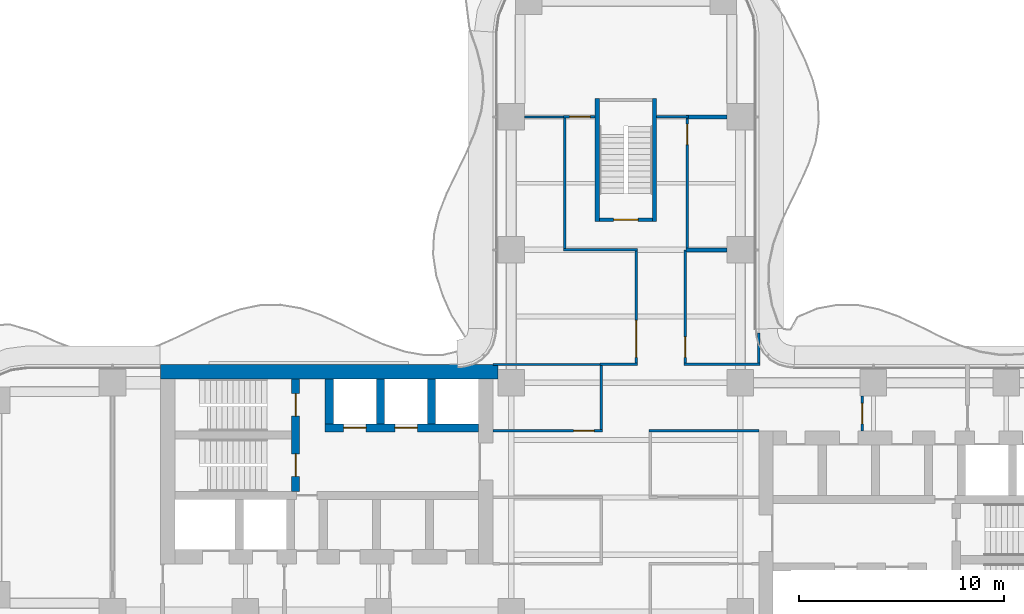
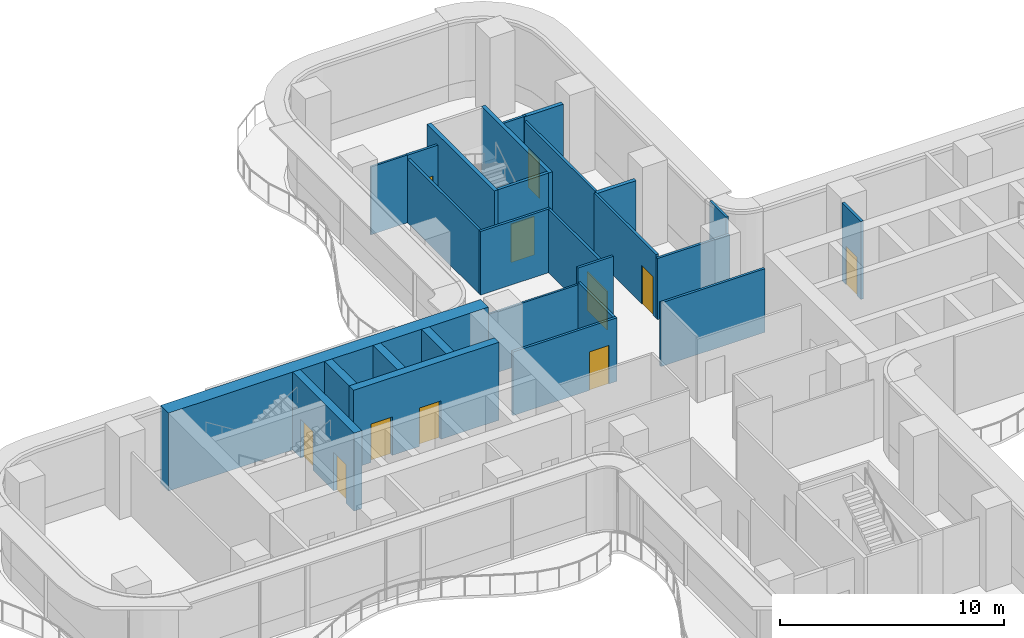
# One storey, part 18 of 21: 27 walls, 11 doors, 11 openings.
"""IFC4 building model written with IfcOpenShell, lengths in metres."""

from ifc_helpers import new_model, si_unit, direction, frame, frame_2d, origin, place, context, subcontext, project, spatial, rectangle, extrude, source, transform, mapped, material, layer, layer_set, type_object, element, fill, save


model = new_model("IFC4")

# Units and contexts
model_context = context("Model", 3, precision=1e-05, world=origin(), true_north=direction((0.0, 1.0)))
body_context = subcontext(model_context, "Body", "Model", "MODEL_VIEW")
ifc_project = project(units=[si_unit("LENGTHUNIT", "METRE"), si_unit("AREAUNIT", "SQUARE_METRE"), si_unit("VOLUMEUNIT", "CUBIC_METRE"), si_unit("PLANEANGLEUNIT", "RADIAN"), si_unit("MASSUNIT", "GRAM", prefix="KILO")], contexts=[model_context])

# Site, building, storey
site_placement = place(None, origin())
site = spatial("IfcSite", under=ifc_project, at=site_placement, CompositionType="ELEMENT")
building_placement = place(site_placement, origin())
building = spatial("IfcBuilding", under=site, at=building_placement, Name="Trellis Farm Tower", CompositionType="ELEMENT")
storey_placement = place(building_placement, frame((0.0, 0.0, 97.5)))
storey = spatial("IfcBuildingStorey", under=building, at=storey_placement, Name="L20", CompositionType="ELEMENT", Elevation=97.5)

# Walls
ifc_material_1 = material(Name="Concrete C70/85", Category="concrete")
ifc_layer_1 = layer(ifc_material_1, 0.39990234375)
ifc_layer_set_1 = layer_set([ifc_layer_1], Name="CORE INNER WALL 400 CONCRETE C70/85")
wall_type_1 = type_object("IfcWallType", Name="CORE INNER WALL 400 CONCRETE C70/85", PredefinedType="SHEAR", material=ifc_layer_set_1)
shared_shape_1 = source(origin(), body_context, "Body", "SweptSolid", [
    extrude(rectangle(XDim=2.199951171875, YDim=0.39990234375, at=frame_2d((1.10009765625, 0.0))), origin(), (0.0, 0.0, 1.0), 4.25),
])
for number, where, z_axis, x_axis, name in (
    (1, (-9.5, 5.800048828125, 0.0), (0.0, 0.0, 1.0), (0.0, -1.0, 0.0), "Core wall"),
    (2, (-12.0, 5.800048828125, 0.0), (0.0, 0.0, 1.0), (0.0, -1.0, 0.0), "Core wall"),
    (3, (-14.5, 5.800048828125, 0.0), (0.0, 0.0, 1.0), (0.0, -1.0, 0.0), "Core wall"),
):
    element("IfcWall", number, at=place(storey_placement, frame(where, z_axis=z_axis, x_axis=x_axis)), inside=storey, type_object=wall_type_1, Name=name, PredefinedType="SHEAR", context=body_context, shape_type="MappedRepresentation", body=[
        mapped(shared_shape_1, transform((0.0, 0.0, 0.0))),
    ])

# Wall, openings, doors
shared_shape_2 = source(origin(), body_context, "Body", "SweptSolid", [
    extrude(rectangle(XDim=7.5, YDim=0.39990234375, at=frame_2d((3.75, 0.0))), origin(), (0.0, 0.0, 1.0), 4.25),
])
wall_1_placement = place(storey_placement, frame((-7.199951171875, 3.39990234375, 0.0), z_axis=(0.0, 0.0, 1.0), x_axis=(-1.0, 0.0, 0.0)))
wall_1 = element("IfcWall", 4, at=wall_1_placement, inside=storey, type_object=wall_type_1, Name="Core wall", PredefinedType="SHEAR", context=body_context, shape_type="MappedRepresentation", body=[
    mapped(shared_shape_2, transform((0.0, 0.0, 0.0))),
])
shared_shape_3 = source(origin(), body_context, "Body", "SweptSolid", [
    extrude(rectangle(XDim=1.10009765625, YDim=2.10009765625, at=frame_2d((0.550048828125, 1.050048828125))), frame((0.0, 0.2099609375, 0.0), z_axis=(0.0, -1.0, 0.0), x_axis=(1.0, 0.0, 0.0)), (0.0, 0.0, 1.0), 0.419921875),
])
opening_1_placement = place(wall_1_placement, frame((3.0, 0.0, 0.0)))
opening_1 = element("IfcOpeningElement", 5, at=opening_1_placement, cuts=wall_1, Name="Opening LD10", PredefinedType="OPENING", context=body_context, shape_type="MappedRepresentation", body=[
    mapped(shared_shape_3, transform((0.0, 0.0, 0.0))),
])
opening_2_placement = place(wall_1_placement, frame((5.5, 0.0, 0.0)))
opening_2 = element("IfcOpeningElement", 6, at=opening_2_placement, cuts=wall_1, Name="Opening LD11", PredefinedType="OPENING", context=body_context, shape_type="MappedRepresentation", body=[
    mapped(shared_shape_3, transform((0.0, 0.0, 0.0))),
])
ifc_material_2 = material(Name="Stainless steel", Category="steel")
door_type_1 = type_object("IfcDoorType", Name="LIFT LANDING DOOR 1100 X 2100", OperationType="DOUBLE_DOOR_SLIDING", PredefinedType="DOOR", material=ifc_material_2)
shared_shape_4 = source(origin(), body_context, "Body", "SweptSolid", [
    extrude(rectangle(XDim=1.10009765625, YDim=2.10009765625, at=frame_2d((0.550048828125, 1.050048828125))), frame((0.0, 0.02490234375, 0.0), z_axis=(0.0, -1.0, 0.0), x_axis=(1.0, 0.0, 0.0)), (0.0, 0.0, 1.0), 0.050048828125),
])
door_1_placement = place(opening_1_placement, origin())
door_1 = element("IfcDoor", 7, at=door_1_placement, inside=storey, type_object=door_type_1, Name="Lift landing door", OperationType="DOUBLE_DOOR_SLIDING", OverallHeight=2.10009765625, OverallWidth=1.10009765625, PredefinedType="DOOR", context=body_context, shape_type="MappedRepresentation", body=[
    mapped(shared_shape_4, transform((0.0, 0.0, 0.0))),
])
fill(opening_1, door_1)
door_2_placement = place(opening_2_placement, origin())
door_2 = element("IfcDoor", 8, at=door_2_placement, inside=storey, type_object=door_type_1, Name="Lift landing door", OperationType="DOUBLE_DOOR_SLIDING", OverallHeight=2.10009765625, OverallWidth=1.10009765625, PredefinedType="DOOR", context=body_context, shape_type="MappedRepresentation", body=[
    mapped(shared_shape_4, transform((0.0, 0.0, 0.0))),
])
fill(opening_2, door_2)

shared_shape_5 = source(origin(), body_context, "Body", "SweptSolid", [
    extrude(rectangle(XDim=5.5, YDim=0.39990234375, at=frame_2d((2.75, 0.0))), origin(), (0.0, 0.0, 1.0), 4.25),
])
wall_2_placement = place(storey_placement, frame((-16.14990234375, 5.800048828125, 0.0), z_axis=(0.0, 0.0, 1.0), x_axis=(0.0, -1.0, 0.0)))
wall_2 = element("IfcWall", 9, at=wall_2_placement, inside=storey, type_object=wall_type_1, Name="Core wall", PredefinedType="SHEAR", context=body_context, shape_type="MappedRepresentation", body=[
    mapped(shared_shape_5, transform((0.0, 0.0, 0.0))),
])
opening_3_placement = place(wall_2_placement, frame((0.72509765625, 0.0, 0.0)))
opening_3 = element("IfcOpeningElement", 10, at=opening_3_placement, cuts=wall_2, Name="Opening DC88", PredefinedType="OPENING", context=body_context, shape_type="MappedRepresentation", body=[
    mapped(shared_shape_3, transform((0.0, 0.0, 0.0))),
])
opening_4_placement = place(wall_2_placement, frame((3.675048828125, 0.0, 0.0)))
opening_4 = element("IfcOpeningElement", 11, at=opening_4_placement, cuts=wall_2, Name="Opening DC89", PredefinedType="OPENING", context=body_context, shape_type="MappedRepresentation", body=[
    mapped(shared_shape_3, transform((0.0, 0.0, 0.0))),
])
ifc_material_3 = material(Name="Steel", Category="steel")
door_type_2 = type_object("IfcDoorType", Name="CORE FIRE DOOR 1100 X 2100", OperationType="NOTDEFINED", PredefinedType="DOOR", material=ifc_material_3)
door_3_placement = place(opening_3_placement, origin())
door_3 = element("IfcDoor", 12, at=door_3_placement, inside=storey, type_object=door_type_2, Name="Core door", OperationType="SINGLE_SWING_RIGHT", OverallHeight=2.10009765625, OverallWidth=1.10009765625, PredefinedType="DOOR", context=body_context, shape_type="MappedRepresentation", body=[
    mapped(shared_shape_4, transform((0.0, 0.0, 0.0))),
])
fill(opening_3, door_3)
door_4_placement = place(opening_4_placement, origin())
door_4 = element("IfcDoor", 13, at=door_4_placement, inside=storey, type_object=door_type_2, Name="Core door", OperationType="SINGLE_SWING_LEFT", OverallHeight=2.10009765625, OverallWidth=1.10009765625, PredefinedType="DOOR", context=body_context, shape_type="MappedRepresentation", body=[
    mapped(shared_shape_4, transform((0.0, 0.0, 0.0))),
])
fill(opening_4, door_4)

# Walls
ifc_layer_2 = layer(ifc_material_1, 0.699951171875)
ifc_layer_set_2 = layer_set([ifc_layer_2], Name="CORE OUTER WALL 700 CONCRETE C70/85")
wall_type_2 = type_object("IfcWallType", Name="CORE OUTER WALL 700 CONCRETE C70/85", PredefinedType="SHEAR", material=ifc_layer_set_2)
shared_shape_6 = source(origin(), body_context, "Body", "SweptSolid", [
    extrude(rectangle(XDim=16.5, YDim=0.699951171875, at=frame_2d((8.25, 0.0))), origin(), (0.0, 0.0, 1.0), 4.25),
])
wall_3_placement = place(storey_placement, frame((-6.25, 6.14990234375, 0.0), z_axis=(0.0, 0.0, 1.0), x_axis=(-1.0, 0.0, 0.0)))
element("IfcWall", 14, at=wall_3_placement, inside=storey, type_object=wall_type_2, Name="Core wall", PredefinedType="SHEAR", context=body_context, shape_type="MappedRepresentation", body=[
    mapped(shared_shape_6, transform((0.0, 0.0, 0.0))),
])
ifc_layer_3 = layer(ifc_material_1, 0.199951171875)
ifc_layer_set_3 = layer_set([ifc_layer_3], Name="CORE STAIR ENCLOSURE WALL 200 CONCRETE C70/85")
wall_type_3 = type_object("IfcWallType", Name="CORE STAIR ENCLOSURE WALL 200 CONCRETE C70/85", PredefinedType="SHEAR", material=ifc_layer_set_3)
shared_shape_7 = source(origin(), body_context, "Body", "SweptSolid", [
    extrude(rectangle(XDim=6.0, YDim=0.199951171875, at=frame_2d((3.0, 0.0))), origin(), (0.0, 0.0, 1.0), 4.25),
])
for number, where, z_axis, x_axis, name in (
    (15, (-1.39990234375, 13.5, 0.0), (0.0, 0.0, 1.0), (0.0, 1.0, 0.0), "Stair enclosure wall"),
    (16, (1.39990234375, 13.5, 0.0), (0.0, 0.0, 1.0), (0.0, 1.0, 0.0), "Stair enclosure wall"),
):
    element("IfcWall", number, at=place(storey_placement, frame(where, z_axis=z_axis, x_axis=x_axis)), inside=storey, type_object=wall_type_3, Name=name, PredefinedType="SHEAR", context=body_context, shape_type="MappedRepresentation", body=[
        mapped(shared_shape_7, transform((0.0, 0.0, 0.0))),
    ])

# Wall, opening, door
ifc_layer_4 = layer(ifc_material_1, 0.14990234375)
ifc_layer_set_4 = layer_set([ifc_layer_4], Name="CORE STAIR ENCLOSURE WALL 150 CONCRETE C70/85")
wall_type_4 = type_object("IfcWallType", Name="CORE STAIR ENCLOSURE WALL 150 CONCRETE C70/85", PredefinedType="SHEAR", material=ifc_layer_set_4)
shared_shape_8 = source(origin(), body_context, "Body", "SweptSolid", [
    extrude(rectangle(XDim=2.60009765625, YDim=0.14990234375, at=frame_2d((1.300048828125, 0.0))), origin(), (0.0, 0.0, 1.0), 4.25),
])
wall_4_placement = place(storey_placement, frame((-1.300048828125, 13.574951171875, 0.0), z_axis=(0.0, 0.0, 1.0), x_axis=(1.0, 0.0, 0.0)))
wall_4 = element("IfcWall", 17, at=wall_4_placement, inside=storey, type_object=wall_type_4, Name="Stair enclosure wall", PredefinedType="SHEAR", context=body_context, shape_type="MappedRepresentation", body=[
    mapped(shared_shape_8, transform((0.0, 0.0, 0.0))),
])
shared_shape_9 = source(origin(), body_context, "Body", "SweptSolid", [
    extrude(rectangle(XDim=1.199951171875, YDim=2.10009765625, at=frame_2d((0.60009765625, 1.050048828125))), frame((0.0, 0.0849609375, 0.0), z_axis=(0.0, -1.0, 0.0), x_axis=(1.0, 0.0, 0.0)), (0.0, 0.0, 1.0), 0.169921875),
])
opening_5_placement = place(wall_4_placement, frame((0.699951171875, 0.0, 0.0)))
opening_5 = element("IfcOpeningElement", 18, at=opening_5_placement, cuts=wall_4, Name="Opening DC173", PredefinedType="OPENING", context=body_context, shape_type="MappedRepresentation", body=[
    mapped(shared_shape_9, transform((0.0, 0.0, 0.0))),
])
door_type_3 = type_object("IfcDoorType", Name="CORE FIRE DOOR 1200 X 2100", OperationType="NOTDEFINED", PredefinedType="DOOR", material=ifc_material_3)
shared_shape_10 = source(origin(), body_context, "Body", "SweptSolid", [
    extrude(rectangle(XDim=1.199951171875, YDim=2.10009765625, at=frame_2d((0.60009765625, 1.050048828125))), frame((0.0, 0.02490234375, 0.0), z_axis=(0.0, -1.0, 0.0), x_axis=(1.0, 0.0, 0.0)), (0.0, 0.0, 1.0), 0.050048828125),
])
door_5_placement = place(opening_5_placement, origin())
door_5 = element("IfcDoor", 19, at=door_5_placement, inside=storey, type_object=door_type_3, Name="Core door", OperationType="SINGLE_SWING_LEFT", OverallHeight=2.10009765625, OverallWidth=1.199951171875, PredefinedType="DOOR", context=body_context, shape_type="MappedRepresentation", body=[
    mapped(shared_shape_10, transform((0.0, 0.0, 0.0))),
])
fill(opening_5, door_5)

ifc_material_4 = material(Name="Plasterboard on steel studs, mineral wool", Category="steel")
ifc_layer_5 = layer(ifc_material_4, 0.125)
ifc_layer_set_5 = layer_set([ifc_layer_5], Name="PARTITION 125 STUD EI 60")
wall_type_5 = type_object("IfcWallType", Name="PARTITION 125 STUD EI 60", PredefinedType="PARTITIONING", material=ifc_layer_set_5)
shared_shape_11 = source(origin(), body_context, "Body", "SweptSolid", [
    extrude(rectangle(XDim=5.47509765625, YDim=0.125, at=frame_2d((2.737548828125, 0.0))), origin(), (0.0, 0.0, 1.0), 3.4677734375),
])
wall_5_placement = place(storey_placement, frame((0.5, 12.03759765625, 0.0), z_axis=(0.0, 0.0, 1.0), x_axis=(0.0, -1.0, 0.0)))
wall_5 = element("IfcWall", 20, at=wall_5_placement, inside=storey, type_object=wall_type_5, Name="Partition PW1", PredefinedType="PARTITIONING", context=body_context, shape_type="MappedRepresentation", body=[
    mapped(shared_shape_11, transform((0.0, 0.0, 0.0))),
])
shared_shape_12 = source(origin(), body_context, "Body", "SweptSolid", [
    extrude(rectangle(XDim=1.800048828125, YDim=2.10009765625, at=frame_2d((0.89990234375, 1.050048828125))), frame((0.0, 0.072509765625, 0.0), z_axis=(0.0, -1.0, 0.0), x_axis=(1.0, 0.0, 0.0)), (0.0, 0.0, 1.0), 0.14501953125),
])
opening_6_placement = place(wall_5_placement, frame((3.387451171875, 0.0, 0.0)))
opening_6 = element("IfcOpeningElement", 21, at=opening_6_placement, cuts=wall_5, Name="Opening D201", PredefinedType="OPENING", context=body_context, shape_type="MappedRepresentation", body=[
    mapped(shared_shape_12, transform((0.0, 0.0, 0.0))),
])
ifc_material_5 = material(Name="Fire-rated timber door leaf in a hollow metal frame", Category="wood")
door_type_4 = type_object("IfcDoorType", Name="DOOR PAIR 1800x2100 FD30S", OperationType="NOTDEFINED", PredefinedType="DOOR", material=ifc_material_5)
shared_shape_13 = source(origin(), body_context, "Body", "SweptSolid", [
    extrude(rectangle(XDim=1.800048828125, YDim=2.10009765625, at=frame_2d((0.89990234375, 1.050048828125))), frame((0.0, 0.02490234375, 0.0), z_axis=(0.0, -1.0, 0.0), x_axis=(1.0, 0.0, 0.0)), (0.0, 0.0, 1.0), 0.050048828125),
])
door_6_placement = place(opening_6_placement, origin())
door_6 = element("IfcDoor", 22, at=door_6_placement, inside=storey, type_object=door_type_4, Name="Door D201", OperationType="DOUBLE_DOOR_SINGLE_SWING", OverallHeight=2.10009765625, OverallWidth=1.800048828125, PredefinedType="DOOR", context=body_context, shape_type="MappedRepresentation", body=[
    mapped(shared_shape_13, transform((0.0, 0.0, 0.0))),
])
fill(opening_6, door_6)

# Wall
shared_shape_14 = source(origin(), body_context, "Body", "SweptSolid", [
    extrude(rectangle(XDim=1.468994140625, YDim=0.125, at=frame_2d((0.734375, 0.0))), origin(), (0.0, 0.0, 1.0), 4.25),
])
wall_6_placement = place(storey_placement, frame((6.5, 6.5625, 0.0), z_axis=(0.0, 0.0, 1.0), x_axis=(0.0, 1.0, 0.0)))
element("IfcWall", 23, at=wall_6_placement, inside=storey, type_object=wall_type_5, Name="Partition PW1", PredefinedType="PARTITIONING", context=body_context, shape_type="MappedRepresentation", body=[
    mapped(shared_shape_14, transform((0.0, 0.0, 0.0))),
])

# Wall, opening, door
shared_shape_15 = source(origin(), body_context, "Body", "SweptSolid", [
    extrude(rectangle(XDim=5.362548828125, YDim=0.125, at=frame_2d((2.68115234375, 0.0))), origin(), (0.0, 0.0, 1.0), 3.4677734375),
])
wall_7_placement = place(storey_placement, frame((-6.5, 3.25, 0.0), z_axis=(0.0, 0.0, 1.0), x_axis=(1.0, 0.0, 0.0)))
wall_7 = element("IfcWall", 24, at=wall_7_placement, inside=storey, type_object=wall_type_5, Name="Partition PW1", PredefinedType="PARTITIONING", context=body_context, shape_type="MappedRepresentation", body=[
    mapped(shared_shape_15, transform((0.0, 0.0, 0.0))),
])
shared_shape_16 = source(origin(), body_context, "Body", "SweptSolid", [
    extrude(rectangle(XDim=1.0, YDim=2.10009765625, at=frame_2d((0.5, 1.050048828125))), frame((0.0, 0.072509765625, 0.0), z_axis=(0.0, -1.0, 0.0), x_axis=(1.0, 0.0, 0.0)), (0.0, 0.0, 1.0), 0.14501953125),
])
opening_7_placement = place(wall_7_placement, frame((3.949951171875, 0.0, 0.0)))
opening_7 = element("IfcOpeningElement", 25, at=opening_7_placement, cuts=wall_7, Name="Opening D108", PredefinedType="OPENING", context=body_context, shape_type="MappedRepresentation", body=[
    mapped(shared_shape_16, transform((0.0, 0.0, 0.0))),
])
door_type_5 = type_object("IfcDoorType", Name="DOOR 1000x2100 FD30S", OperationType="NOTDEFINED", PredefinedType="DOOR", material=ifc_material_5)
shared_shape_17 = source(origin(), body_context, "Body", "SweptSolid", [
    extrude(rectangle(XDim=1.0, YDim=2.10009765625, at=frame_2d((0.5, 1.050048828125))), frame((0.0, 0.02490234375, 0.0), z_axis=(0.0, -1.0, 0.0), x_axis=(1.0, 0.0, 0.0)), (0.0, 0.0, 1.0), 0.050048828125),
])
door_7_placement = place(opening_7_placement, origin())
door_7 = element("IfcDoor", 26, at=door_7_placement, inside=storey, type_object=door_type_5, Name="Door D108", OperationType="SINGLE_SWING_RIGHT", OverallHeight=2.10009765625, OverallWidth=1.0, PredefinedType="DOOR", context=body_context, shape_type="MappedRepresentation", body=[
    mapped(shared_shape_17, transform((0.0, 0.0, 0.0))),
])
fill(opening_7, door_7)

# Wall
wall_8_placement = place(storey_placement, frame((1.137451171875, 3.25, 0.0), z_axis=(0.0, 0.0, 1.0), x_axis=(1.0, 0.0, 0.0)))
element("IfcWall", 27, at=wall_8_placement, inside=storey, type_object=wall_type_5, Name="Partition PW1", PredefinedType="PARTITIONING", context=body_context, shape_type="MappedRepresentation", body=[
    mapped(shared_shape_15, transform((0.0, 0.0, 0.0))),
])

# Wall, opening, door
shared_shape_18 = source(origin(), body_context, "Body", "SweptSolid", [
    extrude(rectangle(XDim=6.300048828125, YDim=0.125, at=frame_2d((3.14990234375, 0.0))), origin(), (0.0, 0.0, 1.0), 3.4677734375),
])
wall_9_placement = place(storey_placement, frame((3.0, 18.5, 0.0), z_axis=(0.0, 0.0, 1.0), x_axis=(0.0, -1.0, 0.0)))
wall_9 = element("IfcWall", 28, at=wall_9_placement, inside=storey, type_object=wall_type_5, Name="Partition PW1", PredefinedType="PARTITIONING", context=body_context, shape_type="MappedRepresentation", body=[
    mapped(shared_shape_18, transform((0.0, 0.0, 0.0))),
])
opening_8_placement = place(wall_9_placement, frame((0.25, 0.0, 0.0)))
opening_8 = element("IfcOpeningElement", 29, at=opening_8_placement, cuts=wall_9, Name="Opening D304", PredefinedType="OPENING", context=body_context, shape_type="MappedRepresentation", body=[
    mapped(shared_shape_16, transform((0.0, 0.0, 0.0))),
])
door_type_6 = type_object("IfcDoorType", Name="DOOR 1000x2100 FD60", OperationType="NOTDEFINED", PredefinedType="DOOR", material=ifc_material_5)
door_8_placement = place(opening_8_placement, origin())
door_8 = element("IfcDoor", 30, at=door_8_placement, inside=storey, type_object=door_type_6, Name="Door D304", OperationType="SINGLE_SWING_LEFT", OverallHeight=2.10009765625, OverallWidth=1.0, PredefinedType="DOOR", context=body_context, shape_type="MappedRepresentation", body=[
    mapped(shared_shape_17, transform((0.0, 0.0, 0.0))),
])
fill(opening_8, door_8)

# Walls
shared_shape_19 = source(origin(), body_context, "Body", "SweptSolid", [
    extrude(rectangle(XDim=3.137451171875, YDim=0.125, at=frame_2d((1.56884765625, 0.0))), origin(), (0.0, 0.0, 1.0), 3.4677734375),
])
wall_10_placement = place(storey_placement, frame((-1.199951171875, 6.449951171875, 0.0), z_axis=(0.0, 0.0, 1.0), x_axis=(0.0, -1.0, 0.0)))
element("IfcWall", 31, at=wall_10_placement, inside=storey, type_object=wall_type_5, Name="Partition PW1", PredefinedType="PARTITIONING", context=body_context, shape_type="MappedRepresentation", body=[
    mapped(shared_shape_19, transform((0.0, 0.0, 0.0))),
])
ifc_material_6 = material(Name="Plasterboard on steel studs", Category="steel")
ifc_layer_6 = layer(ifc_material_6, 0.10009765625)
ifc_layer_set_6 = layer_set([ifc_layer_6], Name="PARTITION 100 STUD EI 30")
wall_type_6 = type_object("IfcWallType", Name="PARTITION 100 STUD EI 30", PredefinedType="PARTITIONING", material=ifc_layer_set_6)
shared_shape_20 = source(origin(), body_context, "Body", "SweptSolid", [
    extrude(rectangle(XDim=5.362548828125, YDim=0.10009765625, at=frame_2d((2.68115234375, 0.0))), origin(), (0.0, 0.0, 1.0), 3.330078125),
])
wall_11_placement = place(storey_placement, frame((-6.5, 6.5, 0.0), z_axis=(0.0, 0.0, 1.0), x_axis=(1.0, 0.0, 0.0)))
element("IfcWall", 32, at=wall_11_placement, inside=storey, type_object=wall_type_6, Name="Partition PW2", PredefinedType="PARTITIONING", context=body_context, shape_type="MappedRepresentation", body=[
    mapped(shared_shape_20, transform((0.0, 0.0, 0.0))),
])

# Wall, opening, door
shared_shape_21 = source(origin(), body_context, "Body", "SweptSolid", [
    extrude(rectangle(XDim=1.5625, YDim=0.125, at=frame_2d((0.78125, 0.0))), origin(), (0.0, 0.0, 1.0), 3.697021484375),
])
wall_12_placement = place(storey_placement, frame((-3.0625, 18.60009765625, 0.0), z_axis=(0.0, 0.0, 1.0), x_axis=(1.0, 0.0, 0.0)))
wall_12 = element("IfcWall", 33, at=wall_12_placement, inside=storey, type_object=wall_type_5, Name="Partition PW1", PredefinedType="PARTITIONING", context=body_context, shape_type="MappedRepresentation", body=[
    mapped(shared_shape_21, transform((0.0, 0.0, 0.0))),
])
opening_9_placement = place(wall_12_placement, frame((0.3125, 0.0, 0.0)))
opening_9 = element("IfcOpeningElement", 34, at=opening_9_placement, cuts=wall_12, Name="Opening D110", PredefinedType="OPENING", context=body_context, shape_type="MappedRepresentation", body=[
    mapped(shared_shape_16, transform((0.0, 0.0, 0.0))),
])
door_9_placement = place(opening_9_placement, origin())
door_9 = element("IfcDoor", 35, at=door_9_placement, inside=storey, type_object=door_type_5, Name="Door D110", OperationType="SINGLE_SWING_RIGHT", OverallHeight=2.10009765625, OverallWidth=1.0, PredefinedType="DOOR", context=body_context, shape_type="MappedRepresentation", body=[
    mapped(shared_shape_17, transform((0.0, 0.0, 0.0))),
])
fill(opening_9, door_9)

# Walls
wall_13_placement = place(storey_placement, frame((1.5, 18.60009765625, 0.0), z_axis=(0.0, 0.0, 1.0), x_axis=(1.0, 0.0, 0.0)))
element("IfcWall", 36, at=wall_13_placement, inside=storey, type_object=wall_type_5, Name="Partition PW1", PredefinedType="PARTITIONING", context=body_context, shape_type="MappedRepresentation", body=[
    mapped(shared_shape_21, transform((0.0, 0.0, 0.0))),
])
shared_shape_22 = source(origin(), body_context, "Body", "SweptSolid", [
    extrude(rectangle(XDim=6.387451171875, YDim=0.125, at=frame_2d((3.19384765625, 0.0))), origin(), (0.0, 0.0, 1.0), 3.4677734375),
])
wall_14_placement = place(storey_placement, frame((-3.0, 12.16259765625, 0.0), z_axis=(0.0, 0.0, 1.0), x_axis=(0.0, 1.0, 0.0)))
element("IfcWall", 37, at=wall_14_placement, inside=storey, type_object=wall_type_5, Name="Partition PW1", PredefinedType="PARTITIONING", context=body_context, shape_type="MappedRepresentation", body=[
    mapped(shared_shape_22, transform((0.0, 0.0, 0.0))),
])

# Wall, opening, door
shared_shape_23 = source(origin(), body_context, "Body", "SweptSolid", [
    extrude(rectangle(XDim=5.53759765625, YDim=0.125, at=frame_2d((2.768798828125, 0.0))), origin(), (0.0, 0.0, 1.0), 3.4677734375),
])
wall_15_placement = place(storey_placement, frame((2.89990234375, 12.10009765625, 0.0), z_axis=(0.0, 0.0, 1.0), x_axis=(0.0, -1.0, 0.0)))
wall_15 = element("IfcWall", 38, at=wall_15_placement, inside=storey, type_object=wall_type_5, Name="Partition PW1", PredefinedType="PARTITIONING", context=body_context, shape_type="MappedRepresentation", body=[
    mapped(shared_shape_23, transform((0.0, 0.0, 0.0))),
])
opening_10_placement = place(wall_15_placement, frame((4.25, 0.0, 0.0)))
opening_10 = element("IfcOpeningElement", 39, at=opening_10_placement, cuts=wall_15, Name="Opening D109", PredefinedType="OPENING", context=body_context, shape_type="MappedRepresentation", body=[
    mapped(shared_shape_16, transform((0.0, 0.0, 0.0))),
])
door_10_placement = place(opening_10_placement, origin())
door_10 = element("IfcDoor", 40, at=door_10_placement, inside=storey, type_object=door_type_5, Name="Door D109", OperationType="SINGLE_SWING_RIGHT", OverallHeight=2.10009765625, OverallWidth=1.0, PredefinedType="DOOR", context=body_context, shape_type="MappedRepresentation", body=[
    mapped(shared_shape_17, transform((0.0, 0.0, 0.0))),
])
fill(opening_10, door_10)

shared_shape_24 = source(origin(), body_context, "Body", "SweptSolid", [
    extrude(rectangle(XDim=1.699951171875, YDim=0.125, at=frame_2d((0.85009765625, 0.0))), origin(), (0.0, 0.0, 1.0), 4.25),
])
wall_16_placement = place(storey_placement, frame((11.550048828125, 3.25, 0.0), z_axis=(0.0, 0.0, 1.0), x_axis=(0.0, 1.0, 0.0)))
wall_16 = element("IfcWall", 41, at=wall_16_placement, inside=storey, type_object=wall_type_5, Name="Partition PW1", PredefinedType="PARTITIONING", context=body_context, shape_type="MappedRepresentation", body=[
    mapped(shared_shape_24, transform((0.0, 0.0, 0.0))),
])
opening_11_placement = place(wall_16_placement, frame((0.35009765625, 0.0, 0.0)))
opening_11 = element("IfcOpeningElement", 42, at=opening_11_placement, cuts=wall_16, Name="Opening D303", PredefinedType="OPENING", context=body_context, shape_type="MappedRepresentation", body=[
    mapped(shared_shape_16, transform((0.0, 0.0, 0.0))),
])
door_11_placement = place(opening_11_placement, origin())
door_11 = element("IfcDoor", 43, at=door_11_placement, inside=storey, type_object=door_type_6, Name="Door D303", OperationType="SINGLE_SWING_LEFT", OverallHeight=2.10009765625, OverallWidth=1.0, PredefinedType="DOOR", context=body_context, shape_type="MappedRepresentation", body=[
    mapped(shared_shape_17, transform((0.0, 0.0, 0.0))),
])
fill(opening_11, door_11)

# Walls
shared_shape_25 = source(origin(), body_context, "Body", "SweptSolid", [
    extrude(rectangle(XDim=1.824951171875, YDim=0.125, at=frame_2d((0.91259765625, 0.0))), origin(), (0.0, 0.0, 1.0), 4.25),
])
wall_17_placement = place(storey_placement, frame((-1.262451171875, 6.5, 0.0), z_axis=(0.0, 0.0, 1.0), x_axis=(1.0, 0.0, 0.0)))
element("IfcWall", 44, at=wall_17_placement, inside=storey, type_object=wall_type_5, Name="Partition PW1", PredefinedType="PARTITIONING", context=body_context, shape_type="MappedRepresentation", body=[
    mapped(shared_shape_25, transform((0.0, 0.0, 0.0))),
])
shared_shape_26 = source(origin(), body_context, "Body", "SweptSolid", [
    extrude(rectangle(XDim=3.72509765625, YDim=0.125, at=frame_2d((1.862548828125, 0.0))), origin(), (0.0, 0.0, 1.0), 3.330078125),
])
wall_18_placement = place(storey_placement, frame((2.83740234375, 6.5, 0.0), z_axis=(0.0, 0.0, 1.0), x_axis=(1.0, 0.0, 0.0)))
element("IfcWall", 45, at=wall_18_placement, inside=storey, type_object=wall_type_5, Name="Partition PW1", PredefinedType="PARTITIONING", context=body_context, shape_type="MappedRepresentation", body=[
    mapped(shared_shape_26, transform((0.0, 0.0, 0.0))),
])
shared_shape_27 = source(origin(), body_context, "Body", "SweptSolid", [
    extrude(rectangle(XDim=3.625, YDim=0.125, at=frame_2d((1.8125, 0.0))), origin(), (0.0, 0.0, 1.0), 3.4677734375),
])
wall_19_placement = place(storey_placement, frame((0.5625, 12.10009765625, 0.0), z_axis=(0.0, 0.0, 1.0), x_axis=(-1.0, 0.0, 0.0)))
element("IfcWall", 46, at=wall_19_placement, inside=storey, type_object=wall_type_5, Name="Partition PW1", PredefinedType="PARTITIONING", context=body_context, shape_type="MappedRepresentation", body=[
    mapped(shared_shape_27, transform((0.0, 0.0, 0.0))),
])
ifc_material_7 = material(Name="Lightweight blockwork, plastered", Category="masonry")
ifc_layer_7 = layer(ifc_material_7, 0.199951171875)
ifc_layer_set_7 = layer_set([ifc_layer_7], Name="BLOCK WALL 200 EI 120")
wall_type_7 = type_object("IfcWallType", Name="BLOCK WALL 200 EI 120", PredefinedType="PARTITIONING", material=ifc_layer_set_7)
shared_shape_28 = source(origin(), body_context, "Body", "SweptSolid", [
    extrude(rectangle(XDim=2.012451171875, YDim=0.199951171875, at=frame_2d((1.00634765625, 0.0))), origin(), (0.0, 0.0, 1.0), 3.697021484375),
])
wall_20_placement = place(storey_placement, frame((2.9375, 18.60009765625, 0.0), z_axis=(0.0, 0.0, 1.0), x_axis=(1.0, 0.0, 0.0)))
element("IfcWall", 47, at=wall_20_placement, inside=storey, type_object=wall_type_7, Name="Partition PW3", PredefinedType="PARTITIONING", context=body_context, shape_type="MappedRepresentation", body=[
    mapped(shared_shape_28, transform((0.0, 0.0, 0.0))),
])
shared_shape_29 = source(origin(), body_context, "Body", "SweptSolid", [
    extrude(rectangle(XDim=2.012451171875, YDim=0.10009765625, at=frame_2d((1.00634765625, 0.0))), origin(), (0.0, 0.0, 1.0), 3.697021484375),
])
wall_21_placement = place(storey_placement, frame((-4.949951171875, 18.60009765625, 0.0), z_axis=(0.0, 0.0, 1.0), x_axis=(1.0, 0.0, 0.0)))
element("IfcWall", 48, at=wall_21_placement, inside=storey, type_object=wall_type_6, Name="Partition PW2", PredefinedType="PARTITIONING", context=body_context, shape_type="MappedRepresentation", body=[
    mapped(shared_shape_29, transform((0.0, 0.0, 0.0))),
])
shared_shape_30 = source(origin(), body_context, "Body", "SweptSolid", [
    extrude(rectangle(XDim=2.012451171875, YDim=0.199951171875, at=frame_2d((1.00634765625, 0.0))), origin(), (0.0, 0.0, 1.0), 3.4677734375),
])
wall_22_placement = place(storey_placement, frame((2.9375, 12.10009765625, 0.0), z_axis=(0.0, 0.0, 1.0), x_axis=(1.0, 0.0, 0.0)))
element("IfcWall", 49, at=wall_22_placement, inside=storey, type_object=wall_type_7, Name="Partition PW3", PredefinedType="PARTITIONING", context=body_context, shape_type="MappedRepresentation", body=[
    mapped(shared_shape_30, transform((0.0, 0.0, 0.0))),
])

save(model, "model.ifc")
